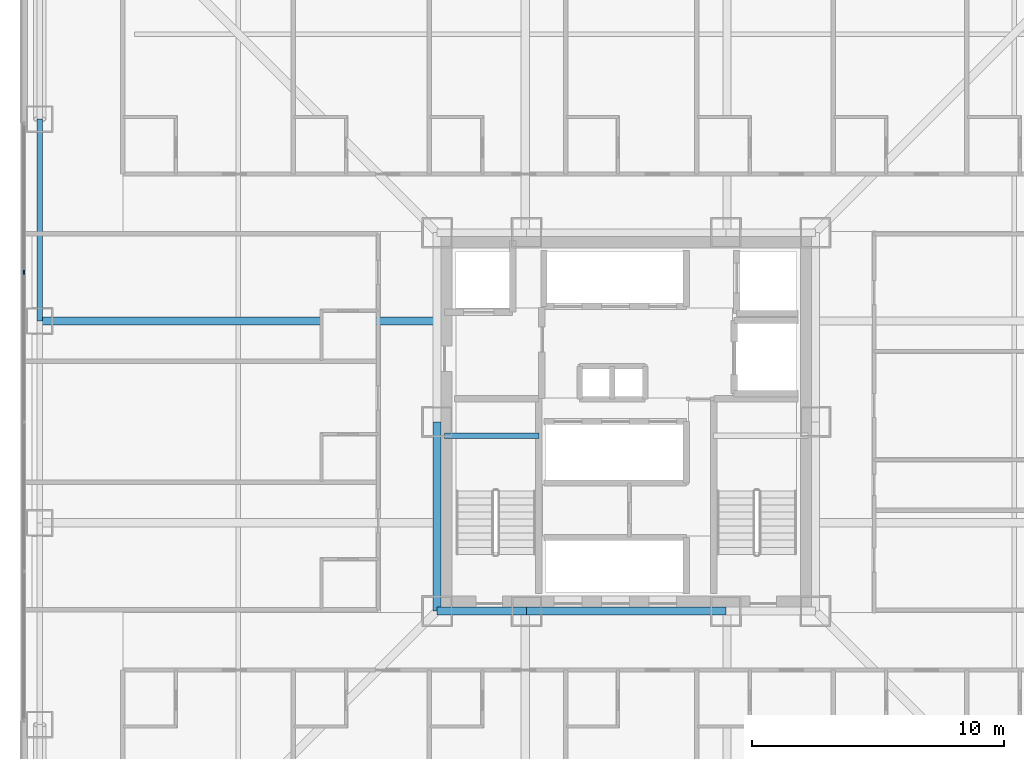
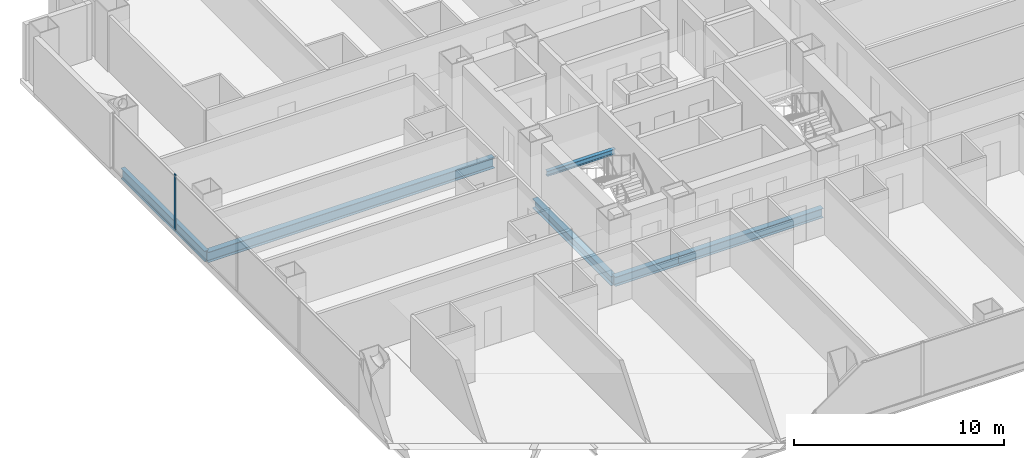
# One storey, part 7 of 23: 6 beams, 1 member, 1 element without a shape of its own.
"""IFC4 building model written with IfcOpenShell, lengths in metres."""

from ifc_helpers import new_model, si_unit, direction, frame, origin, origin_2d, place, context, subcontext, project, spatial, rectangle, i_section, extrude, material, layer, layer_set, material_profile, profile_set, type_object, element, aggregate, save


model = new_model("IFC4")

# Units and contexts
model_context = context("Model", 3, precision=1e-05, world=origin(), true_north=direction((0.0, 1.0)))
body_context = subcontext(model_context, "Body", "Model", "MODEL_VIEW")
ifc_project = project(units=[si_unit("LENGTHUNIT", "METRE"), si_unit("AREAUNIT", "SQUARE_METRE"), si_unit("VOLUMEUNIT", "CUBIC_METRE"), si_unit("PLANEANGLEUNIT", "RADIAN"), si_unit("MASSUNIT", "GRAM", prefix="KILO")], contexts=[model_context])

# Site, building, storey
site_placement = place(None, origin())
site = spatial("IfcSite", under=ifc_project, at=site_placement, CompositionType="ELEMENT")
building_placement = place(site_placement, origin())
building = spatial("IfcBuilding", under=site, at=building_placement, Name="Trevonay Congress Spire", CompositionType="ELEMENT")
storey_placement = place(building_placement, frame((0.0, 0.0, 34.0)))
storey = spatial("IfcBuildingStorey", under=building, at=storey_placement, Name="L07", CompositionType="ELEMENT", Elevation=34.0)

# Beams
ifc_material_1 = material(Name="Steel ASTM A572 Grade 50", Category="steel")
ifc_material_profile_1 = material_profile(ifc_material_1, i_section(OverallWidth=0.31201171875, OverallDepth=0.54296875, WebThickness=0.0126953125, FlangeThickness=0.020263671875, FilletRadius=0.014892578125, at=origin_2d()), Name="W530x150")
ifc_profile_set_1 = profile_set([ifc_material_profile_1], Name="Steel ASTM A572 Grade 50")
beam_type_1 = type_object("IfcBeamType", Name="BM-GIRD-W530X150", PredefinedType="BEAM", material=ifc_profile_set_1)
beam_1_placement = place(storey_placement, frame((-7.5, -7.5, -0.521484375), z_axis=(1.0, 0.0, 0.0), x_axis=(0.0, 1.0, 0.0)))
element("IfcBeam", 1, at=beam_1_placement, inside=storey, type_object=beam_type_1, Name="L07 structural beam BM-L07-CR-S1", PredefinedType="BEAM", context=body_context, shape_type="SweptSolid", body=[
    extrude(i_section(OverallWidth=0.31201171875, OverallDepth=0.54296875, WebThickness=0.0126953125, FlangeThickness=0.020263671875, FilletRadius=0.014892578125, at=origin_2d()), origin(), (0.0, 0.0, 1.0), 3.550048828125),
])
beam_2_placement = place(storey_placement, frame((-3.949951171875, -7.5, -0.521484375), z_axis=(1.0, 0.0, 0.0), x_axis=(0.0, 1.0, 0.0)))
element("IfcBeam", 2, at=beam_2_placement, inside=storey, type_object=beam_type_1, Name="L07 structural beam BM-L07-CR-S2", PredefinedType="BEAM", context=body_context, shape_type="SweptSolid", body=[
    extrude(i_section(OverallWidth=0.31201171875, OverallDepth=0.54296875, WebThickness=0.0126953125, FlangeThickness=0.020263671875, FilletRadius=0.014892578125, at=origin_2d()), origin(), (0.0, 0.0, 1.0), 7.89990234375),
])
beam_3_placement = place(storey_placement, frame((-7.5, -7.5, -0.521484375), z_axis=(0.0, 1.0, 0.0), x_axis=(-1.0, 0.0, 0.0)))
element("IfcBeam", 3, at=beam_3_placement, inside=storey, type_object=beam_type_1, Name="L07 structural beam BM-L07-CR-W1", PredefinedType="BEAM", context=body_context, shape_type="SweptSolid", body=[
    extrude(i_section(OverallWidth=0.31201171875, OverallDepth=0.54296875, WebThickness=0.0126953125, FlangeThickness=0.020263671875, FilletRadius=0.014892578125, at=origin_2d()), origin(), (0.0, 0.0, 1.0), 7.5),
])
ifc_material_profile_2 = material_profile(ifc_material_1, i_section(OverallWidth=0.324951171875, OverallDepth=0.615966796875, WebThickness=0.013916015625, FlangeThickness=0.021484375, FilletRadius=0.01806640625, at=origin_2d()), Name="W610x174")
ifc_profile_set_2 = profile_set([ifc_material_profile_2], Name="Steel ASTM A572 Grade 50")
beam_type_2 = type_object("IfcBeamType", Name="BM-GIRD-W610X174", PredefinedType="BEAM", material=ifc_profile_set_2)
beam_4_placement = place(storey_placement, frame((-7.5, 4.0, -0.55810546875), z_axis=(-1.0, 0.0, 0.0), x_axis=(0.0, -1.0, 0.0)))
element("IfcBeam", 4, at=beam_4_placement, inside=storey, type_object=beam_type_2, Name="L07 structural beam BM-L07-GW-P", PredefinedType="BEAM", context=body_context, shape_type="SweptSolid", body=[
    extrude(i_section(OverallWidth=0.324951171875, OverallDepth=0.615966796875, WebThickness=0.013916015625, FlangeThickness=0.021484375, FilletRadius=0.01806640625, at=origin_2d()), origin(), (0.0, 0.0, 1.0), 15.75),
])
ifc_material_profile_3 = material_profile(ifc_material_1, i_section(OverallWidth=0.22998046875, OverallDepth=0.616943359375, WebThickness=0.01318359375, FlangeThickness=0.022216796875, FilletRadius=0.01611328125, at=origin_2d()), Name="W610x140")
ifc_profile_set_3 = profile_set([ifc_material_profile_3], Name="Steel ASTM A572 Grade 50")
beam_type_3 = type_object("IfcBeamType", Name="BM-RING-W610X140", PredefinedType="BEAM", material=ifc_profile_set_3)
beam_5_placement = place(storey_placement, frame((-23.25, 4.0, -0.55859375), z_axis=(0.0, 1.0, 0.0), x_axis=(-1.0, 0.0, 0.0)))
element("IfcBeam", 5, at=beam_5_placement, inside=storey, type_object=beam_type_3, Name="L07 structural beam BM-L07-PW4", PredefinedType="BEAM", context=body_context, shape_type="SweptSolid", body=[
    extrude(i_section(OverallWidth=0.22998046875, OverallDepth=0.616943359375, WebThickness=0.01318359375, FlangeThickness=0.022216796875, FilletRadius=0.01611328125, at=origin_2d()), origin(), (0.0, 0.0, 1.0), 8.0),
])

# Curtain wall, member
ifc_material_2 = material(Name="Pale Anodised Aluminium EN AW-6063-T6", Category="aluminium")
ifc_layer = layer(ifc_material_2, 0.179931640625, Name="Pale Anodised Aluminium EN AW-6063-T6")
ifc_layer_set = layer_set([ifc_layer], Name="Pale Anodised Aluminium EN AW-6063-T6")
curtain_wall_type = type_object("IfcCurtainWallType", Name="CW-SYS02-HOTEL-PALE-METAL", PredefinedType="NOTDEFINED", material=ifc_layer_set)
curtain_wall_placement = place(storey_placement, origin())
curtain_wall = element("IfcCurtainWall", 6, at=curtain_wall_placement, inside=storey, type_object=curtain_wall_type, Name="L07 W unitised curtain wall", PredefinedType="NOTDEFINED")
ifc_material_profile_4 = material_profile(ifc_material_2, rectangle(XDim=0.06005859375, YDim=0.159912109375, at=origin_2d()), Name="CW-MULLION-160-ALUMINIUM")
ifc_profile_set_4 = profile_set([ifc_material_profile_4], Name="Pale Anodised Aluminium EN AW-6063-T6")
member_type = type_object("IfcMemberType", Name="CW-MULLION-160-ALUMINIUM", PredefinedType="MULLION", material=ifc_profile_set_4)
member_placement = place(storey_placement, frame((-23.8798828125, 5.925048828125, 0.0), z_axis=(0.0, 0.0, 1.0), x_axis=(-1.0, 0.0, 0.0)))
member = element("IfcMember", 7, at=member_placement, type_object=member_type, Name="CW02 mullion 4", PredefinedType="MULLION", context=body_context, shape_type="SweptSolid", body=[
    extrude(rectangle(XDim=0.06005859375, YDim=0.159912109375, at=origin_2d()), origin(), (0.0, 0.0, 1.0), 3.25),
])
aggregate(curtain_wall, [member])

# Beam
ifc_material_profile_5 = material_profile(ifc_material_1, i_section(OverallWidth=0.2041015625, OverallDepth=0.305908203125, WebThickness=0.008544921875, FlangeThickness=0.0146484375, FilletRadius=0.010986328125, at=origin_2d()), Name="W310x67")
ifc_profile_set_5 = profile_set([ifc_material_profile_5], Name="Steel ASTM A572 Grade 50")
beam_type_4 = type_object("IfcBeamType", Name="LN-CORE-W310X67", PredefinedType="LINTEL", material=ifc_profile_set_5)
beam_6_placement = place(storey_placement, frame((-7.199951171875, -0.550048828125, 1.39697265625), z_axis=(1.0, 0.0, 0.0), x_axis=(0.0, 1.0, 0.0)))
element("IfcBeam", 8, at=beam_6_placement, inside=storey, type_object=beam_type_4, Name="L07 structural beam BM-L07-HL-ST1", PredefinedType="LINTEL", context=body_context, shape_type="SweptSolid", body=[
    extrude(i_section(OverallWidth=0.2041015625, OverallDepth=0.305908203125, WebThickness=0.008544921875, FlangeThickness=0.0146484375, FilletRadius=0.010986328125, at=origin_2d()), origin(), (0.0, 0.0, 1.0), 3.75),
])

save(model, "model.ifc")
